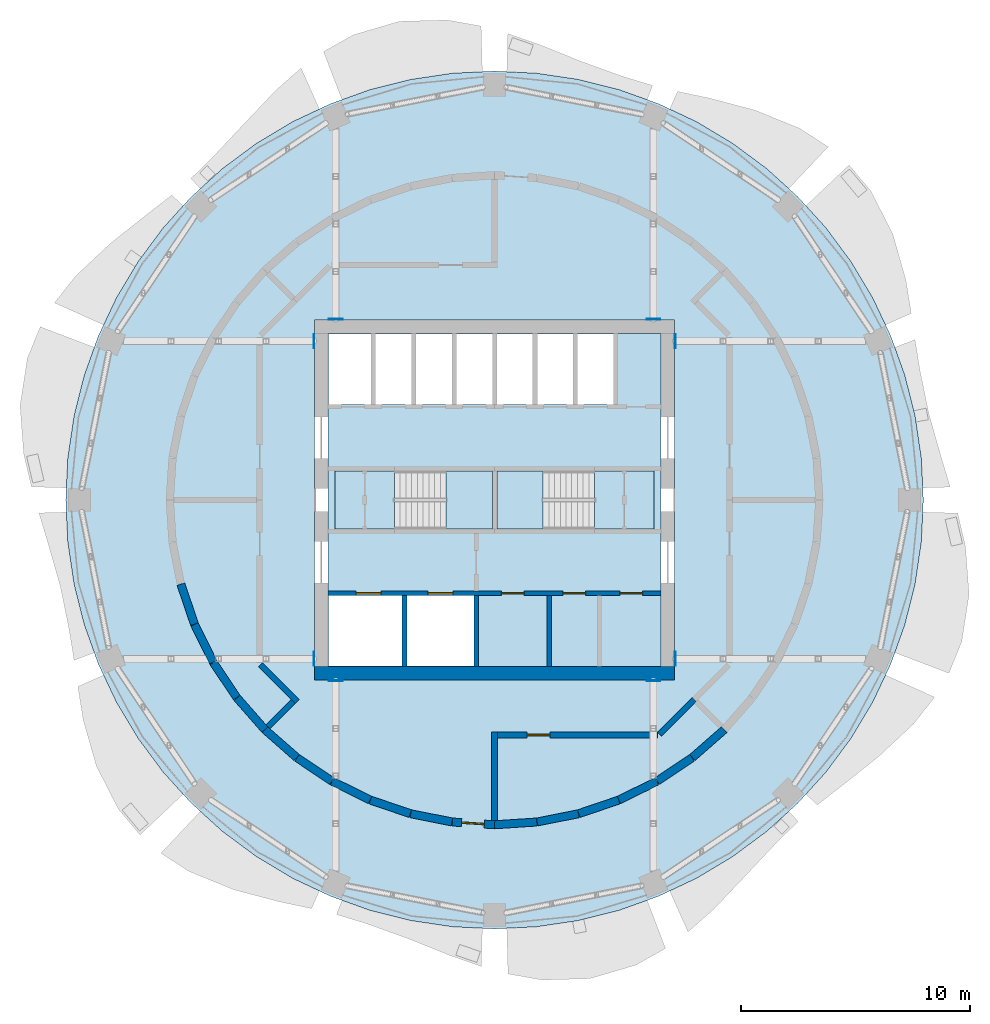
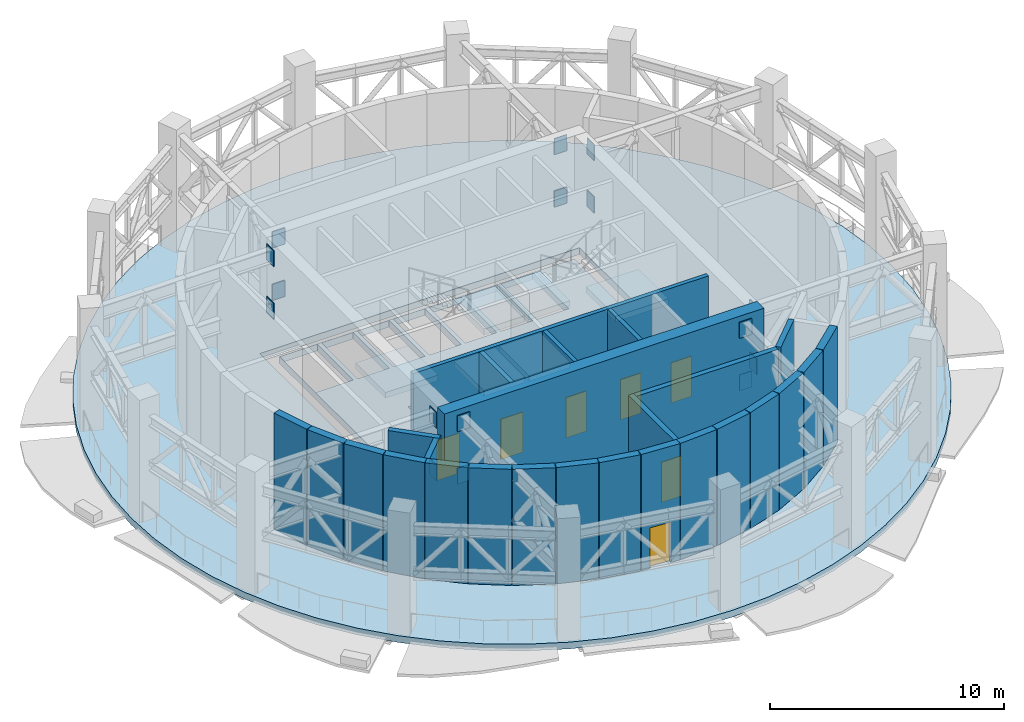
# One storey, part 7 of 14: 26 walls, 16 plates, 8 slabs, 7 doors, 7 openings, 2 elements without a shape of their own.
"""IFC4 building model written with IfcOpenShell, lengths in metres."""

from ifc_helpers import new_model, si_unit, direction, frame, frame_2d, origin, origin_2d, place, context, subcontext, project, spatial, polyline, rectangle, outline, extrude, material, layer, layer_set, type_object, element, fill, aggregate, save


model = new_model("IFC4")

# Units and contexts
model_context = context("Model", 3, precision=1e-05, world=origin(), true_north=direction((0.0, 1.0)))
body_context = subcontext(model_context, "Body", "Model", "MODEL_VIEW")
ifc_project = project(units=[si_unit("LENGTHUNIT", "METRE"), si_unit("AREAUNIT", "SQUARE_METRE"), si_unit("VOLUMEUNIT", "CUBIC_METRE"), si_unit("PLANEANGLEUNIT", "RADIAN"), si_unit("MASSUNIT", "GRAM", prefix="KILO")], contexts=[model_context])

# Site, building, storey
site_placement = place(None, origin())
site = spatial("IfcSite", under=ifc_project, at=site_placement, CompositionType="ELEMENT")
building_placement = place(site_placement, origin())
building = spatial("IfcBuilding", under=site, at=building_placement, Name="Polderwave Tower", CompositionType="ELEMENT")
storey_placement = place(building_placement, frame((0.0, 0.0, 161.14990234375)))
storey = spatial("IfcBuildingStorey", under=building, at=storey_placement, Name="L43", CompositionType="ELEMENT", Elevation=161.14990234375)

# Plates
ifc_material_1 = material(Name="Steel S355", Category="steel")
ifc_layer_1 = layer(ifc_material_1, 0.0400390625)
ifc_layer_set_1 = layer_set([ifc_layer_1], Name="CAST-IN PLATE 40")
plate_type = type_object("IfcPlateType", Name="CAST-IN PLATE 40", PredefinedType="SHEET", material=ifc_layer_set_1)
for number, where, z_axis, x_axis, name in (
    (1, (7.89404296875, 6.94580078125, 5.274169921875), (0.0, 0.0, 1.0), (1.0, 0.0, 0.0), "Cast-in plate CP-L43-01T 40"),
    (2, (7.89404296875, 6.94580078125, 2.5400390625), (0.0, 0.0, 1.0), (1.0, 0.0, 0.0), "Cast-in plate CP-L43-01B 40"),
    (3, (6.94580078125, 7.89404296875, 5.274169921875), (0.0, 0.0, 1.0), (0.0, 1.0, 0.0), "Cast-in plate CP-L43-03T 40"),
    (4, (6.94580078125, 7.89404296875, 2.5400390625), (0.0, 0.0, 1.0), (0.0, 1.0, 0.0), "Cast-in plate CP-L43-03B 40"),
    (5, (-6.94580078125, 7.89404296875, 5.274169921875), (0.0, 0.0, 1.0), (0.0, 1.0, 0.0), "Cast-in plate CP-L43-05T 40"),
    (6, (-6.94580078125, 7.89404296875, 2.5400390625), (0.0, 0.0, 1.0), (0.0, 1.0, 0.0), "Cast-in plate CP-L43-05B 40"),
    (7, (-7.89404296875, 6.94580078125, 5.274169921875), (0.0, 0.0, 1.0), (1.0, 0.0, 0.0), "Cast-in plate CP-L43-07T 40"),
    (8, (-7.89404296875, 6.94580078125, 2.5400390625), (0.0, 0.0, 1.0), (1.0, 0.0, 0.0), "Cast-in plate CP-L43-07B 40"),
    (9, (-7.89404296875, -6.94580078125, 5.274169921875), (0.0, 0.0, 1.0), (1.0, 0.0, 0.0), "Cast-in plate CP-L43-09T 40"),
    (10, (-7.89404296875, -6.94580078125, 2.5400390625), (0.0, 0.0, 1.0), (1.0, 0.0, 0.0), "Cast-in plate CP-L43-09B 40"),
    (11, (-6.94580078125, -7.89404296875, 5.274169921875), (0.0, 0.0, 1.0), (0.0, 1.0, 0.0), "Cast-in plate CP-L43-11T 40"),
    (12, (-6.94580078125, -7.89404296875, 2.5400390625), (0.0, 0.0, 1.0), (0.0, 1.0, 0.0), "Cast-in plate CP-L43-11B 40"),
    (13, (6.94580078125, -7.89404296875, 5.274169921875), (0.0, 0.0, 1.0), (0.0, 1.0, 0.0), "Cast-in plate CP-L43-13T 40"),
    (14, (6.94580078125, -7.89404296875, 2.5400390625), (0.0, 0.0, 1.0), (0.0, 1.0, 0.0), "Cast-in plate CP-L43-13B 40"),
    (15, (7.89404296875, -6.94580078125, 5.274169921875), (0.0, 0.0, 1.0), (1.0, 0.0, 0.0), "Cast-in plate CP-L43-15T 40"),
    (16, (7.89404296875, -6.94580078125, 2.5400390625), (0.0, 0.0, 1.0), (1.0, 0.0, 0.0), "Cast-in plate CP-L43-15B 40"),
):
    element("IfcPlate", number, at=place(storey_placement, frame(where, z_axis=z_axis, x_axis=x_axis)), inside=storey, type_object=plate_type, Name=name, PredefinedType="SHEET", context=body_context, shape_type="SweptSolid", body=[
        extrude(rectangle(XDim=0.0400390625, YDim=0.60009765625, at=origin_2d()), origin(), (0.0, 0.0, 1.0), 0.8359375),
    ])

# Slabs
ifc_material_2 = material(Name="Concrete C40/50", Category="concrete")
ifc_layer_2 = layer(ifc_material_2, 0.35009765625)
ifc_layer_set_2 = layer_set([ifc_layer_2], Name="Core floor slab 350")
slab_type_1 = type_object("IfcSlabType", Name="Core floor slab 350", PredefinedType="FLOOR", material=ifc_layer_set_2)
slab_1_placement = place(storey_placement, frame((0.0, 0.0, -0.349853515625)))
element("IfcSlab", 17, at=slab_1_placement, inside=storey, type_object=slab_type_1, Name="L43 core floor", PredefinedType="FLOOR", context=body_context, shape_type="SweptSolid", body=[
    extrude(outline(polyline([(-7.27392578125, -7.27392578125), (7.27392578125, -7.27392578125), (7.27392578125, 7.27392578125), (-7.27392578125, 7.27392578125), (-7.27392578125, -7.27392578125)]), holes=[polyline([(-7.25390625, -7.25390625), (-4.037109375, -7.25390625), (-4.037109375, -4.174072265625), (-7.25390625, -4.174072265625), (-7.25390625, -7.25390625)]), polyline([(-3.8369140625, -7.25390625), (-0.89990234375, -7.25390625), (-0.89990234375, -4.174072265625), (-3.8369140625, -4.174072265625), (-3.8369140625, -7.25390625)]), polyline([(-7.25390625, 4.174072265625), (-5.405517578125, 4.174072265625), (-5.405517578125, 7.25390625), (-7.25390625, 7.25390625), (-7.25390625, 4.174072265625)]), polyline([(-5.20556640625, 4.174072265625), (-3.636962890625, 4.174072265625), (-3.636962890625, 7.25390625), (-5.20556640625, 7.25390625), (-5.20556640625, 4.174072265625)]), polyline([(-3.43701171875, 4.174072265625), (-1.868408203125, 4.174072265625), (-1.868408203125, 7.25390625), (-3.43701171875, 7.25390625), (-3.43701171875, 4.174072265625)]), polyline([(-1.66845703125, 4.174072265625), (-0.10009765625, 4.174072265625), (-0.10009765625, 7.25390625), (-1.66845703125, 7.25390625), (-1.66845703125, 4.174072265625)]), polyline([(0.10009765625, 4.174072265625), (1.66845703125, 4.174072265625), (1.66845703125, 7.25390625), (0.10009765625, 7.25390625), (0.10009765625, 4.174072265625)]), polyline([(1.868408203125, 4.174072265625), (3.43701171875, 4.174072265625), (3.43701171875, 7.25390625), (1.868408203125, 7.25390625), (1.868408203125, 4.174072265625)]), polyline([(3.636962890625, 4.174072265625), (5.20556640625, 4.174072265625), (5.20556640625, 7.25390625), (3.636962890625, 7.25390625), (3.636962890625, 4.174072265625)]), polyline([(-4.37353515625, -1.2744140625), (-0.1005859375, -1.2744140625), (-0.1005859375, 1.2744140625), (-4.37353515625, 1.2744140625), (-4.37353515625, -1.2744140625)]), polyline([(0.1005859375, -1.2744140625), (4.37353515625, -1.2744140625), (4.37353515625, 1.2744140625), (0.1005859375, 1.2744140625), (0.1005859375, -1.2744140625)])]), origin(), (0.0, 0.0, 1.0), 0.349853515625),
])
ifc_layer_3 = layer(ifc_material_2, 0.35009765625)
ifc_layer_set_3 = layer_set([ifc_layer_3], Name="PT FLOOR SLAB 350 C40/50")
slab_type_2 = type_object("IfcSlabType", Name="PT FLOOR SLAB 350 C40/50", PredefinedType="FLOOR", material=ifc_layer_set_3)
slab_2_placement = place(storey_placement, frame((0.0, 0.0, -0.349853515625)))
element("IfcSlab", 18, at=slab_2_placement, inside=storey, type_object=slab_type_2, Name="ST-SLAB-L43", PredefinedType="FLOOR", context=body_context, shape_type="SweptSolid", body=[
    extrude(outline(polyline([(18.75, 0.0), (18.65966796875, 1.837890625), (18.3896484375, 3.657958984375), (17.942626953125, 5.44287109375), (17.32275390625, 7.17529296875), (16.535888671875, 8.838623046875), (15.590087890625, 10.4169921875), (14.493896484375, 11.89501953125), (13.25830078125, 13.25830078125), (11.89501953125, 14.493896484375), (10.4169921875, 15.590087890625), (8.838623046875, 16.535888671875), (7.17529296875, 17.32275390625), (5.44287109375, 17.942626953125), (3.657958984375, 18.3896484375), (1.837890625, 18.65966796875), (0.0, 18.75), (-1.837890625, 18.65966796875), (-3.657958984375, 18.3896484375), (-5.44287109375, 17.942626953125), (-7.17529296875, 17.32275390625), (-8.838623046875, 16.535888671875), (-10.4169921875, 15.590087890625), (-11.89501953125, 14.493896484375), (-13.25830078125, 13.25830078125), (-14.493896484375, 11.89501953125), (-15.590087890625, 10.4169921875), (-16.535888671875, 8.838623046875), (-17.32275390625, 7.17529296875), (-17.942626953125, 5.44287109375), (-18.3896484375, 3.657958984375), (-18.65966796875, 1.837890625), (-18.75, 0.0), (-18.65966796875, -1.837890625), (-18.3896484375, -3.657958984375), (-17.942626953125, -5.44287109375), (-17.32275390625, -7.17529296875), (-16.535888671875, -8.838623046875), (-15.590087890625, -10.4169921875), (-14.493896484375, -11.89501953125), (-13.25830078125, -13.25830078125), (-11.89501953125, -14.493896484375), (-10.4169921875, -15.590087890625), (-8.838623046875, -16.535888671875), (-7.17529296875, -17.32275390625), (-5.44287109375, -17.942626953125), (-3.657958984375, -18.3896484375), (-1.837890625, -18.65966796875), (0.0, -18.75), (1.837890625, -18.65966796875), (3.657958984375, -18.3896484375), (5.44287109375, -17.942626953125), (7.17529296875, -17.32275390625), (8.838623046875, -16.535888671875), (10.4169921875, -15.590087890625), (11.89501953125, -14.493896484375), (13.25830078125, -13.25830078125), (14.493896484375, -11.89501953125), (15.590087890625, -10.4169921875), (16.535888671875, -8.838623046875), (17.32275390625, -7.17529296875), (17.942626953125, -5.44287109375), (18.3896484375, -3.657958984375), (18.65966796875, -1.837890625), (18.75, 0.0)]), holes=[polyline([(-7.8740234375, -7.8740234375), (7.8740234375, -7.8740234375), (7.8740234375, 7.8740234375), (-7.8740234375, 7.8740234375), (-7.8740234375, -7.8740234375)])]), origin(), (0.0, 0.0, 1.0), 0.349853515625),
])

# Stair, slabs
stair_type = type_object("IfcStairType", Name="Exit stair 1200 x 40 risers", PredefinedType="HALF_TURN_STAIR", material=ifc_material_2)
stair_1_placement = place(storey_placement, origin())
stair_1 = element("IfcStair", 19, at=stair_1_placement, inside=storey, type_object=stair_type, Name="L43 Exit stair A", PredefinedType="HALF_TURN_STAIR")
ifc_layer_4 = layer(ifc_material_2, 0.300048828125)
ifc_layer_set_4 = layer_set([ifc_layer_4], Name="Stair landing 300")
slab_type_3 = type_object("IfcSlabType", Name="Stair landing 300", PredefinedType="LANDING", material=ifc_layer_set_4)
slab_3_placement = place(storey_placement, frame((0.0, 0.0, 1.300048828125)))
slab_3 = element("IfcSlab", 20, at=slab_3_placement, type_object=slab_type_3, Name="ST-A landing 1", PredefinedType="LANDING", context=body_context, shape_type="SweptSolid", body=[
    extrude(outline(polyline([(-2.1240234375, -1.27490234375), (-0.10009765625, -1.27490234375), (-0.10009765625, 1.27490234375), (-2.1240234375, 1.27490234375), (-2.1240234375, -1.27490234375)])), origin(), (0.0, 0.0, 1.0), 0.300048828125),
])
slab_4_placement = place(storey_placement, frame((0.0, 0.0, 2.900146484375)))
slab_4 = element("IfcSlab", 21, at=slab_4_placement, type_object=slab_type_3, Name="ST-A landing 2", PredefinedType="LANDING", context=body_context, shape_type="SweptSolid", body=[
    extrude(outline(polyline([(-6.97412109375, -1.27490234375), (-4.3740234375, -1.27490234375), (-4.3740234375, 1.27490234375), (-6.97412109375, 1.27490234375), (-6.97412109375, -1.27490234375)])), origin(), (0.0, 0.0, 1.0), 0.300048828125),
])
slab_5_placement = place(storey_placement, frame((0.0, 0.0, 4.5)))
slab_5 = element("IfcSlab", 22, at=slab_5_placement, type_object=slab_type_3, Name="ST-A landing 3", PredefinedType="LANDING", context=body_context, shape_type="SweptSolid", body=[
    extrude(outline(polyline([(-2.1240234375, -1.27490234375), (-0.10009765625, -1.27490234375), (-0.10009765625, 1.27490234375), (-2.1240234375, 1.27490234375), (-2.1240234375, -1.27490234375)])), origin(), (0.0, 0.0, 1.0), 0.300048828125),
])
aggregate(stair_1, [slab_3, slab_4, slab_5])

stair_2_placement = place(storey_placement, origin())
stair_2 = element("IfcStair", 23, at=stair_2_placement, inside=storey, type_object=stair_type, Name="L43 Exit stair B", PredefinedType="HALF_TURN_STAIR")
slab_6_placement = place(storey_placement, frame((0.0, 0.0, 1.300048828125)))
slab_6 = element("IfcSlab", 24, at=slab_6_placement, type_object=slab_type_3, Name="ST-B landing 1", PredefinedType="LANDING", context=body_context, shape_type="SweptSolid", body=[
    extrude(outline(polyline([(2.1240234375, 1.27490234375), (0.10009765625, 1.27490234375), (0.10009765625, -1.27490234375), (2.1240234375, -1.27490234375), (2.1240234375, 1.27490234375)])), origin(), (0.0, 0.0, 1.0), 0.300048828125),
])
slab_7_placement = place(storey_placement, frame((0.0, 0.0, 2.900146484375)))
slab_7 = element("IfcSlab", 25, at=slab_7_placement, type_object=slab_type_3, Name="ST-B landing 2", PredefinedType="LANDING", context=body_context, shape_type="SweptSolid", body=[
    extrude(outline(polyline([(6.97412109375, 1.27490234375), (4.3740234375, 1.27490234375), (4.3740234375, -1.27490234375), (6.97412109375, -1.27490234375), (6.97412109375, 1.27490234375)])), origin(), (0.0, 0.0, 1.0), 0.300048828125),
])
slab_8_placement = place(storey_placement, frame((0.0, 0.0, 4.5)))
slab_8 = element("IfcSlab", 26, at=slab_8_placement, type_object=slab_type_3, Name="ST-B landing 3", PredefinedType="LANDING", context=body_context, shape_type="SweptSolid", body=[
    extrude(outline(polyline([(2.1240234375, 1.27490234375), (0.10009765625, 1.27490234375), (0.10009765625, -1.27490234375), (2.1240234375, -1.27490234375), (2.1240234375, 1.27490234375)])), origin(), (0.0, 0.0, 1.0), 0.300048828125),
])
aggregate(stair_2, [slab_6, slab_7, slab_8])

# Walls
ifc_material_3 = material(Name="Concrete C60/75", Category="concrete")
ifc_layer_5 = layer(ifc_material_3, 0.60009765625)
ifc_layer_set_5 = layer_set([ifc_layer_5], Name="CORE WALL 600 C60/75")
wall_type_1 = type_object("IfcWallType", Name="CORE WALL 600 C60/75", PredefinedType="SHEAR", material=ifc_layer_set_5)
wall_1_placement = place(storey_placement, frame((-7.8740234375, -7.573974609375, 0.0), z_axis=(0.0, 0.0, 1.0), x_axis=(1.0, 0.0, 0.0)))
element("IfcWall", 27, at=wall_1_placement, inside=storey, type_object=wall_type_1, Name="ST-CORE-L43-S", PredefinedType="SHEAR", context=body_context, shape_type="SweptSolid", body=[
    extrude(rectangle(XDim=15.748046875, YDim=0.60009765625, at=frame_2d((7.8740234375, 0.0))), origin(), (0.0, 0.0, 1.0), 6.400146484375),
])
ifc_material_4 = material(Name="Gypsum board partition")
ifc_layer_6 = layer(ifc_material_4, 0.199951171875)
ifc_layer_set_6 = layer_set([ifc_layer_6], Name="Core room partition 200")
wall_type_2 = type_object("IfcWallType", Name="Core room partition 200", PredefinedType="PARTITIONING", material=ifc_layer_set_6)
wall_2_placement = place(storey_placement, frame((2.3896484375, -7.27392578125, 0.0), z_axis=(0.0, 0.0, 1.0), x_axis=(0.0, 1.0, 0.0)))
element("IfcWall", 28, at=wall_2_placement, inside=storey, type_object=wall_type_2, Name="L43 room partition S1", PredefinedType="PARTITIONING", context=body_context, shape_type="SweptSolid", body=[
    extrude(rectangle(XDim=3.099853515625, YDim=0.199951171875, at=frame_2d((1.5498046875, 0.0))), origin(), (0.0, 0.0, 1.0), 6.050048828125),
])

# Wall, openings, doors
ifc_material_5 = material(Name="Concrete C50/60", Category="concrete")
ifc_layer_7 = layer(ifc_material_5, 0.199951171875)
ifc_layer_set_7 = layer_set([ifc_layer_7], Name="Core web wall 200")
wall_type_3 = type_object("IfcWallType", Name="Core web wall 200", PredefinedType="SHEAR", material=ifc_layer_set_7)
wall_3_placement = place(storey_placement, frame((-7.27392578125, -4.073974609375, 0.0), z_axis=(0.0, 0.0, 1.0), x_axis=(1.0, 0.0, 0.0)))
wall_3 = element("IfcWall", 29, at=wall_3_placement, inside=storey, type_object=wall_type_3, Name="L43 south front wall", PredefinedType="SHEAR", context=body_context, shape_type="SweptSolid", body=[
    extrude(rectangle(XDim=14.5478515625, YDim=0.199951171875, at=frame_2d((7.27392578125, 0.0))), origin(), (0.0, 0.0, 1.0), 6.050048828125),
])
opening_1_placement = place(wall_3_placement, frame((1.218505859375, 0.0, 0.0)))
opening_1 = element("IfcOpeningElement", 30, at=opening_1_placement, cuts=wall_3, Name="Opening L43-D01", PredefinedType="OPENING", context=body_context, shape_type="SweptSolid", body=[
    extrude(rectangle(XDim=1.10009765625, YDim=2.10009765625, at=frame_2d((0.550048828125, 1.050048828125))), frame((0.0, 0.10986328125, 0.0), z_axis=(0.0, -1.0, 0.0), x_axis=(1.0, 0.0, 0.0)), (0.0, 0.0, 1.0), 0.219970703125),
])
opening_2_placement = place(wall_3_placement, frame((4.35546875, 0.0, 0.0)))
opening_2 = element("IfcOpeningElement", 31, at=opening_2_placement, cuts=wall_3, Name="Opening L43-D02", PredefinedType="OPENING", context=body_context, shape_type="SweptSolid", body=[
    extrude(rectangle(XDim=1.10009765625, YDim=2.10009765625, at=frame_2d((0.550048828125, 1.050048828125))), frame((0.0, 0.10986328125, 0.0), z_axis=(0.0, -1.0, 0.0), x_axis=(1.0, 0.0, 0.0)), (0.0, 0.0, 1.0), 0.219970703125),
])
opening_3_placement = place(wall_3_placement, frame((7.56884765625, 0.0, 0.0)))
opening_3 = element("IfcOpeningElement", 32, at=opening_3_placement, cuts=wall_3, Name="Opening L43-D15", PredefinedType="OPENING", context=body_context, shape_type="SweptSolid", body=[
    extrude(rectangle(XDim=1.0, YDim=2.10009765625, at=frame_2d((0.5, 1.050048828125))), frame((0.0, 0.10986328125, 0.0), z_axis=(0.0, -1.0, 0.0), x_axis=(1.0, 0.0, 0.0)), (0.0, 0.0, 1.0), 0.219970703125),
])
opening_4_placement = place(wall_3_placement, frame((10.26025390625, 0.0, 0.0)))
opening_4 = element("IfcOpeningElement", 33, at=opening_4_placement, cuts=wall_3, Name="Opening L43-D16", PredefinedType="OPENING", context=body_context, shape_type="SweptSolid", body=[
    extrude(rectangle(XDim=1.0, YDim=2.10009765625, at=frame_2d((0.5, 1.050048828125))), frame((0.0, 0.10986328125, 0.0), z_axis=(0.0, -1.0, 0.0), x_axis=(1.0, 0.0, 0.0)), (0.0, 0.0, 1.0), 0.219970703125),
])
opening_5_placement = place(wall_3_placement, frame((12.75244140625, 0.0, 0.0)))
opening_5 = element("IfcOpeningElement", 34, at=opening_5_placement, cuts=wall_3, Name="Opening L43-D17", PredefinedType="OPENING", context=body_context, shape_type="SweptSolid", body=[
    extrude(rectangle(XDim=1.0, YDim=2.10009765625, at=frame_2d((0.5, 1.050048828125))), frame((0.0, 0.10986328125, 0.0), z_axis=(0.0, -1.0, 0.0), x_axis=(1.0, 0.0, 0.0)), (0.0, 0.0, 1.0), 0.219970703125),
])
ifc_material_6 = material(Name="Stainless steel", Category="steel")
door_type_1 = type_object("IfcDoorType", Name="Fire-fighting lift landing door 1100", OperationType="DOUBLE_DOOR_SLIDING", PredefinedType="DOOR", material=ifc_material_6)
door_1_placement = place(opening_1_placement, origin())
door_1 = element("IfcDoor", 35, at=door_1_placement, inside=storey, type_object=door_type_1, Name="Fire-fighting lift FF1 landing door", OperationType="DOUBLE_DOOR_SLIDING", OverallHeight=2.10009765625, OverallWidth=1.10009765625, PredefinedType="DOOR", context=body_context, shape_type="SweptSolid", body=[
    extrude(rectangle(XDim=1.10009765625, YDim=2.10009765625, at=frame_2d((0.550048828125, 1.050048828125))), frame((0.0, 0.02490234375, 0.0), z_axis=(0.0, -1.0, 0.0), x_axis=(1.0, 0.0, 0.0)), (0.0, 0.0, 1.0), 0.050048828125),
])
fill(opening_1, door_1)
door_2_placement = place(opening_2_placement, origin())
door_2 = element("IfcDoor", 36, at=door_2_placement, inside=storey, type_object=door_type_1, Name="Fire-fighting lift FF2 landing door", OperationType="DOUBLE_DOOR_SLIDING", OverallHeight=2.10009765625, OverallWidth=1.10009765625, PredefinedType="DOOR", context=body_context, shape_type="SweptSolid", body=[
    extrude(rectangle(XDim=1.10009765625, YDim=2.10009765625, at=frame_2d((0.550048828125, 1.050048828125))), frame((0.0, 0.02490234375, 0.0), z_axis=(0.0, -1.0, 0.0), x_axis=(1.0, 0.0, 0.0)), (0.0, 0.0, 1.0), 0.050048828125),
])
fill(opening_2, door_2)
ifc_material_7 = material(Name="Timber door leaf", Category="wood")
door_type_2 = type_object("IfcDoorType", Name="Room door 1000", OperationType="NOTDEFINED", PredefinedType="DOOR", material=ifc_material_7)
door_3_placement = place(opening_3_placement, frame((1.0, 0.0, 0.0), z_axis=(0.0, 0.0, 1.0), x_axis=(-1.0, 0.0, 0.0)))
door_3 = element("IfcDoor", 37, at=door_3_placement, inside=storey, type_object=door_type_2, Name="IT room door", OperationType="SINGLE_SWING_LEFT", OverallHeight=2.10009765625, OverallWidth=1.0, PredefinedType="DOOR", context=body_context, shape_type="SweptSolid", body=[
    extrude(rectangle(XDim=1.0, YDim=2.10009765625, at=frame_2d((0.5, 1.050048828125))), frame((0.0, 0.02490234375, 0.0), z_axis=(0.0, -1.0, 0.0), x_axis=(1.0, 0.0, 0.0)), (0.0, 0.0, 1.0), 0.050048828125),
])
fill(opening_3, door_3)
door_4_placement = place(opening_4_placement, frame((1.0, 0.0, 0.0), z_axis=(0.0, 0.0, 1.0), x_axis=(-1.0, 0.0, 0.0)))
door_4 = element("IfcDoor", 38, at=door_4_placement, inside=storey, type_object=door_type_2, Name="Housekeeping store door", OperationType="SINGLE_SWING_LEFT", OverallHeight=2.10009765625, OverallWidth=1.0, PredefinedType="DOOR", context=body_context, shape_type="SweptSolid", body=[
    extrude(rectangle(XDim=1.0, YDim=2.10009765625, at=frame_2d((0.5, 1.050048828125))), frame((0.0, 0.02490234375, 0.0), z_axis=(0.0, -1.0, 0.0), x_axis=(1.0, 0.0, 0.0)), (0.0, 0.0, 1.0), 0.050048828125),
])
fill(opening_4, door_4)
door_5_placement = place(opening_5_placement, frame((1.0, 0.0, 0.0), z_axis=(0.0, 0.0, 1.0), x_axis=(-1.0, 0.0, 0.0)))
door_5 = element("IfcDoor", 39, at=door_5_placement, inside=storey, type_object=door_type_2, Name="Store door", OperationType="SINGLE_SWING_LEFT", OverallHeight=2.10009765625, OverallWidth=1.0, PredefinedType="DOOR", context=body_context, shape_type="SweptSolid", body=[
    extrude(rectangle(XDim=1.0, YDim=2.10009765625, at=frame_2d((0.5, 1.050048828125))), frame((0.0, 0.02490234375, 0.0), z_axis=(0.0, -1.0, 0.0), x_axis=(1.0, 0.0, 0.0)), (0.0, 0.0, 1.0), 0.050048828125),
])
fill(opening_5, door_5)

# Walls
ifc_material_8 = material(Name="Insulated metal rainscreen on fire-resisting board")
ifc_layer_8 = layer(ifc_material_8, 0.35009765625)
ifc_layer_set_8 = layer_set([ifc_layer_8], Name="Plant enclosure wall 350 mm EI 120")
wall_type_4 = type_object("IfcWallType", Name="Plant enclosure wall 350 mm EI 120", PredefinedType="PARTITIONING", material=ifc_layer_set_8)
for number, where, z_axis, x_axis, name in (
    (40, (-13.122802734375, -5.423095703125, 0.0), (0.0, 0.0, 1.0), (-0.321413562404, 0.946938921949, 0.0), "IN-L43-W044"),
    (41, (-12.302734375, -7.089599609375, 0.0), (0.0, 0.0, 1.0), (-0.442255821409, 0.896888949887, 0.0), "IN-L43-W045"),
):
    element("IfcWall", number, at=place(storey_placement, frame(where, z_axis=z_axis, x_axis=x_axis)), inside=storey, type_object=wall_type_4, Name=name, PredefinedType="PARTITIONING", context=body_context, shape_type="SweptSolid", body=[
        extrude(rectangle(XDim=1.83447265625, YDim=0.35009765625, at=frame_2d((0.917236328125, 0.0))), origin(), (0.0, 0.0, 1.0), 6.050048828125),
    ])
wall_4_placement = place(storey_placement, frame((-11.27197265625, -8.635009765625, 0.0), z_axis=(0.0, 0.0, 1.0), x_axis=(-0.555590461072, 0.831456095994, 0.0)))
element("IfcWall", 42, at=wall_4_placement, inside=storey, type_object=wall_type_4, Name="IN-L43-W046", PredefinedType="PARTITIONING", context=body_context, shape_type="SweptSolid", body=[
    extrude(rectangle(XDim=1.834716796875, YDim=0.35009765625, at=frame_2d((0.91748046875, 0.0))), origin(), (0.0, 0.0, 1.0), 6.050048828125),
])
for number, where, z_axis, x_axis, name in (
    (43, (-10.041015625, -10.041015625, 0.0), (0.0, 0.0, 1.0), (-0.65930012123, 0.751879877471, 0.0), "IN-L43-W047"),
    (44, (-8.653076171875, -11.258056640625, 0.0), (0.0, 0.0, 1.0), (-0.751879877471, 0.65930012123, 0.0), "IN-L43-W049"),
):
    element("IfcWall", number, at=place(storey_placement, frame(where, z_axis=z_axis, x_axis=x_axis)), inside=storey, type_object=wall_type_4, Name=name, PredefinedType="PARTITIONING", context=body_context, shape_type="SweptSolid", body=[
        extrude(rectangle(XDim=1.845947265625, YDim=0.35009765625, at=frame_2d((0.9228515625, 0.0))), origin(), (0.0, 0.0, 1.0), 6.050048828125),
    ])
wall_5_placement = place(storey_placement, frame((-7.109619140625, -12.291259765625, 0.0), z_axis=(0.0, 0.0, 1.0), x_axis=(-0.831456095994, 0.555590461072, 0.0)))
element("IfcWall", 45, at=wall_5_placement, inside=storey, type_object=wall_type_4, Name="IN-L43-W050", PredefinedType="PARTITIONING", context=body_context, shape_type="SweptSolid", body=[
    extrude(rectangle(XDim=1.834716796875, YDim=0.35009765625, at=frame_2d((0.91748046875, 0.0))), origin(), (0.0, 0.0, 1.0), 6.050048828125),
])
for number, where, z_axis, x_axis, name in (
    (46, (-5.4443359375, -13.114013671875, 0.0), (0.0, 0.0, 1.0), (-0.896888949887, 0.442255821409, 0.0), "IN-L43-W051"),
    (47, (-3.68603515625, -13.71240234375, 0.0), (0.0, 0.0, 1.0), (-0.946938921949, 0.321413562404, 0.0), "IN-L43-W052"),
):
    element("IfcWall", number, at=place(storey_placement, frame(where, z_axis=z_axis, x_axis=x_axis)), inside=storey, type_object=wall_type_4, Name=name, PredefinedType="PARTITIONING", context=body_context, shape_type="SweptSolid", body=[
        extrude(rectangle(XDim=1.83447265625, YDim=0.35009765625, at=frame_2d((0.917236328125, 0.0))), origin(), (0.0, 0.0, 1.0), 6.050048828125),
    ])
wall_6_placement = place(storey_placement, frame((-1.86474609375, -14.076416015625, 0.0), z_axis=(0.0, 0.0, 1.0), x_axis=(-0.980759405425, 0.195220359262, 0.0)))
element("IfcWall", 48, at=wall_6_placement, inside=storey, type_object=wall_type_4, Name="IN-L43-W053", PredefinedType="PARTITIONING", context=body_context, shape_type="SweptSolid", body=[
    extrude(rectangle(XDim=1.834716796875, YDim=0.35009765625, at=frame_2d((0.91748046875, 0.0))), origin(), (0.0, 0.0, 1.0), 6.050048828125),
])

# Wall, opening, door
wall_7_placement = place(storey_placement, frame((-1.842041015625, -14.079345703125, 0.0), z_axis=(0.0, 0.0, 1.0), x_axis=(0.997863455992, -0.065333936019, 0.0)))
wall_7 = element("IfcWall", 49, at=wall_7_placement, inside=storey, type_object=wall_type_4, Name="IN-L43-W054", PredefinedType="PARTITIONING", context=body_context, shape_type="SweptSolid", body=[
    extrude(rectangle(XDim=1.845947265625, YDim=0.35009765625, at=frame_2d((0.9228515625, 0.0))), origin(), (0.0, 0.0, 1.0), 6.050048828125),
])
opening_6_placement = place(wall_7_placement, frame((0.39990234375, 0.0, 0.0)))
opening_6 = element("IfcOpeningElement", 50, at=opening_6_placement, cuts=wall_7, Name="Opening L43-D57", PredefinedType="OPENING", context=body_context, shape_type="SweptSolid", body=[
    extrude(rectangle(XDim=1.0, YDim=2.10009765625, at=frame_2d((0.5, 1.050048828125))), frame((0.0, 0.18505859375, 0.0), z_axis=(0.0, -1.0, 0.0), x_axis=(1.0, 0.0, 0.0)), (0.0, 0.0, 1.0), 0.3701171875),
])
ifc_material_9 = material(Name="Steel plant door leaf", Category="steel")
door_type_3 = type_object("IfcDoorType", Name="Plant door FD60 1000 x 2100 steel", OperationType="NOTDEFINED", PredefinedType="DOOR", material=ifc_material_9)
door_6_placement = place(opening_6_placement, origin())
door_6 = element("IfcDoor", 51, at=door_6_placement, inside=storey, type_object=door_type_3, Name="Door L43-D57", OperationType="SINGLE_SWING_LEFT", OverallHeight=2.10009765625, OverallWidth=1.0, PredefinedType="DOOR", context=body_context, shape_type="SweptSolid", body=[
    extrude(rectangle(XDim=1.0, YDim=2.10009765625, at=frame_2d((0.5, 1.050048828125))), frame((0.0, 0.02490234375, 0.0), z_axis=(0.0, -1.0, 0.0), x_axis=(1.0, 0.0, 0.0)), (0.0, 0.0, 1.0), 0.050048828125),
])
fill(opening_6, door_6)

# Walls
wall_8_placement = place(storey_placement, frame((1.842041015625, -14.079345703125, 0.0), z_axis=(0.0, 0.0, 1.0), x_axis=(-0.997863455992, -0.065333936019, 0.0)))
element("IfcWall", 52, at=wall_8_placement, inside=storey, type_object=wall_type_4, Name="IN-L43-W056", PredefinedType="PARTITIONING", context=body_context, shape_type="SweptSolid", body=[
    extrude(rectangle(XDim=1.845947265625, YDim=0.35009765625, at=frame_2d((0.9228515625, 0.0))), origin(), (0.0, 0.0, 1.0), 6.050048828125),
])
wall_9_placement = place(storey_placement, frame((3.6640625, -13.71826171875, 0.0), z_axis=(0.0, 0.0, 1.0), x_axis=(-0.980759405425, -0.195220359262, 0.0)))
element("IfcWall", 53, at=wall_9_placement, inside=storey, type_object=wall_type_4, Name="IN-L43-W057", PredefinedType="PARTITIONING", context=body_context, shape_type="SweptSolid", body=[
    extrude(rectangle(XDim=1.834716796875, YDim=0.35009765625, at=frame_2d((0.91748046875, 0.0))), origin(), (0.0, 0.0, 1.0), 6.050048828125),
])
for number, where, z_axis, x_axis, name in (
    (54, (5.423095703125, -13.122802734375, 0.0), (0.0, 0.0, 1.0), (-0.946938921949, -0.321413562404, 0.0), "IN-L43-W058"),
    (55, (7.089599609375, -12.302734375, 0.0), (0.0, 0.0, 1.0), (-0.896888949887, -0.442255821409, 0.0), "IN-L43-W059"),
):
    element("IfcWall", number, at=place(storey_placement, frame(where, z_axis=z_axis, x_axis=x_axis)), inside=storey, type_object=wall_type_4, Name=name, PredefinedType="PARTITIONING", context=body_context, shape_type="SweptSolid", body=[
        extrude(rectangle(XDim=1.83447265625, YDim=0.35009765625, at=frame_2d((0.917236328125, 0.0))), origin(), (0.0, 0.0, 1.0), 6.050048828125),
    ])
wall_10_placement = place(storey_placement, frame((8.635009765625, -11.27197265625, 0.0), z_axis=(0.0, 0.0, 1.0), x_axis=(-0.831456095994, -0.555590461072, 0.0)))
element("IfcWall", 56, at=wall_10_placement, inside=storey, type_object=wall_type_4, Name="IN-L43-W060", PredefinedType="PARTITIONING", context=body_context, shape_type="SweptSolid", body=[
    extrude(rectangle(XDim=1.834716796875, YDim=0.35009765625, at=frame_2d((0.91748046875, 0.0))), origin(), (0.0, 0.0, 1.0), 6.050048828125),
])
wall_11_placement = place(storey_placement, frame((10.041015625, -10.041015625, 0.0), z_axis=(0.0, 0.0, 1.0), x_axis=(-0.751879877471, -0.65930012123, 0.0)))
element("IfcWall", 57, at=wall_11_placement, inside=storey, type_object=wall_type_4, Name="IN-L43-W061", PredefinedType="PARTITIONING", context=body_context, shape_type="SweptSolid", body=[
    extrude(rectangle(XDim=1.845947265625, YDim=0.35009765625, at=frame_2d((0.9228515625, 0.0))), origin(), (0.0, 0.0, 1.0), 6.050048828125),
])
ifc_material_10 = material(Name="Fire-resisting board on steel studs, mineral wool", Category="steel")
ifc_layer_9 = layer(ifc_material_10, 0.25)
ifc_layer_set_9 = layer_set([ifc_layer_9], Name="Plant room wall 250 mm EI 120")
wall_type_5 = type_object("IfcWallType", Name="Plant room wall 250 mm EI 120", PredefinedType="PARTITIONING", material=ifc_layer_set_9)
wall_12_placement = place(storey_placement, frame((-8.634033203125, -8.810791015625, 0.0), z_axis=(0.0, 0.0, 1.0), x_axis=(-0.707160621121, 0.707052937152, 0.0)))
element("IfcWall", 58, at=wall_12_placement, inside=storey, type_object=wall_type_5, Name="IN-L43-W010", PredefinedType="PARTITIONING", context=body_context, shape_type="SweptSolid", body=[
    extrude(rectangle(XDim=2.26708984375, YDim=0.25, at=frame_2d((1.133544921875, 0.0))), origin(), (0.0, 0.0, 1.0), 6.050048828125),
])

# Wall, opening, door
wall_13_placement = place(storey_placement, frame((7.119384765625, -10.27392578125, 0.0), z_axis=(0.0, 0.0, 1.0), x_axis=(-1.0, 0.0, 0.0)))
wall_13 = element("IfcWall", 59, at=wall_13_placement, inside=storey, type_object=wall_type_5, Name="IN-L43-W011", PredefinedType="PARTITIONING", context=body_context, shape_type="SweptSolid", body=[
    extrude(rectangle(XDim=6.994384765625, YDim=0.25, at=frame_2d((3.4970703125, 0.0))), origin(), (0.0, 0.0, 1.0), 6.050048828125),
])
opening_7_placement = place(wall_13_placement, frame((4.699951171875, 0.0, 0.0)))
opening_7 = element("IfcOpeningElement", 60, at=opening_7_placement, cuts=wall_13, Name="Opening L43-D55", PredefinedType="OPENING", context=body_context, shape_type="SweptSolid", body=[
    extrude(rectangle(XDim=1.0, YDim=2.10009765625, at=frame_2d((0.5, 1.050048828125))), frame((0.0, 0.135009765625, 0.0), z_axis=(0.0, -1.0, 0.0), x_axis=(1.0, 0.0, 0.0)), (0.0, 0.0, 1.0), 0.27001953125),
])
door_7_placement = place(opening_7_placement, origin())
door_7 = element("IfcDoor", 61, at=door_7_placement, inside=storey, type_object=door_type_3, Name="Door L43-D55", OperationType="SINGLE_SWING_RIGHT", OverallHeight=2.10009765625, OverallWidth=1.0, PredefinedType="DOOR", context=body_context, shape_type="SweptSolid", body=[
    extrude(rectangle(XDim=1.0, YDim=2.10009765625, at=frame_2d((0.5, 1.050048828125))), frame((0.0, 0.02490234375, 0.0), z_axis=(0.0, -1.0, 0.0), x_axis=(1.0, 0.0, 0.0)), (0.0, 0.0, 1.0), 0.050048828125),
])
fill(opening_7, door_7)

# Walls
wall_14_placement = place(storey_placement, frame((8.722412109375, -8.722412109375, 0.0), z_axis=(0.0, 0.0, 1.0), x_axis=(-0.707049795509, -0.707163762272, 0.0)))
element("IfcWall", 62, at=wall_14_placement, inside=storey, type_object=wall_type_5, Name="IN-L43-W012", PredefinedType="PARTITIONING", context=body_context, shape_type="SweptSolid", body=[
    extrude(rectangle(XDim=2.14208984375, YDim=0.25, at=frame_2d((1.071044921875, 0.0))), origin(), (0.0, 0.0, 1.0), 6.050048828125),
])
wall_15_placement = place(storey_placement, frame((-8.810791015625, -8.810791015625, 0.0), z_axis=(0.0, 0.0, 1.0), x_axis=(-0.707106781187, -0.707106781187, 0.0)))
element("IfcWall", 63, at=wall_15_placement, inside=storey, type_object=wall_type_5, Name="IN-L43-W048", PredefinedType="PARTITIONING", context=body_context, shape_type="SweptSolid", body=[
    extrude(rectangle(XDim=1.55615234375, YDim=0.25, at=frame_2d((0.778076171875, 0.0))), origin(), (0.0, 0.0, 1.0), 6.050048828125),
])
wall_16_placement = place(storey_placement, frame((0.0, -10.14892578125, 0.0), z_axis=(0.0, 0.0, 1.0), x_axis=(0.0, -1.0, 0.0)))
element("IfcWall", 64, at=wall_16_placement, inside=storey, type_object=wall_type_5, Name="IN-L43-W055", PredefinedType="PARTITIONING", context=body_context, shape_type="SweptSolid", body=[
    extrude(rectangle(XDim=3.867431640625, YDim=0.25, at=frame_2d((1.93359375, 0.0))), origin(), (0.0, 0.0, 1.0), 6.050048828125),
])
ifc_material_11 = material(Name="Gypsum shaft wall system")
ifc_layer_10 = layer(ifc_material_11, 0.199951171875)
ifc_layer_set_10 = layer_set([ifc_layer_10], Name="Shaft wall 200")
wall_type_6 = type_object("IfcWallType", Name="Shaft wall 200", PredefinedType="PARTITIONING", material=ifc_layer_set_10)
for number, where, z_axis, x_axis, name in (
    (65, (-3.93701171875, -7.27392578125, 0.0), (0.0, 0.0, 1.0), (0.0, 1.0, 0.0), "L43 fire-fighting shaft wall 1"),
    (66, (-0.800048828125, -7.27392578125, 0.0), (0.0, 0.0, 1.0), (0.0, 1.0, 0.0), "L43 fire-fighting shaft wall 2"),
):
    element("IfcWall", number, at=place(storey_placement, frame(where, z_axis=z_axis, x_axis=x_axis)), inside=storey, type_object=wall_type_6, Name=name, PredefinedType="PARTITIONING", context=body_context, shape_type="SweptSolid", body=[
        extrude(rectangle(XDim=3.099853515625, YDim=0.199951171875, at=frame_2d((1.5498046875, 0.0))), origin(), (0.0, 0.0, 1.0), 6.050048828125),
    ])

save(model, "model.ifc")
